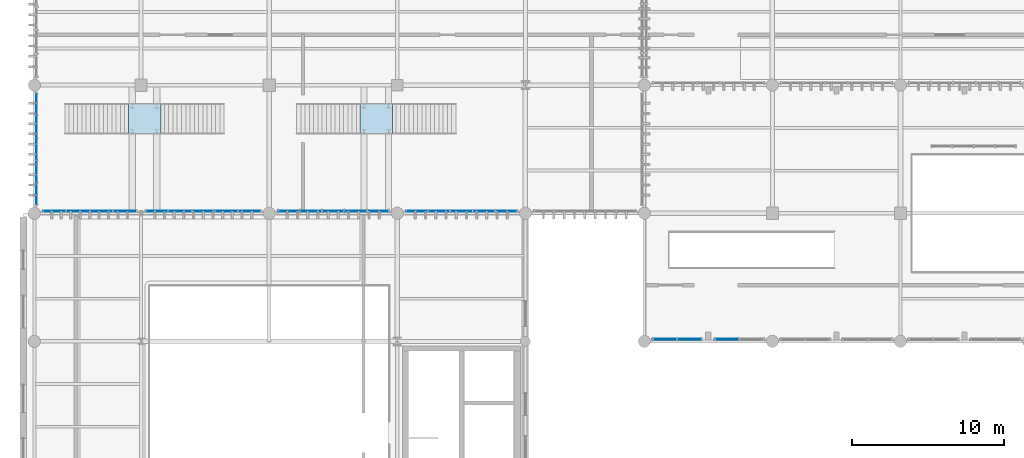
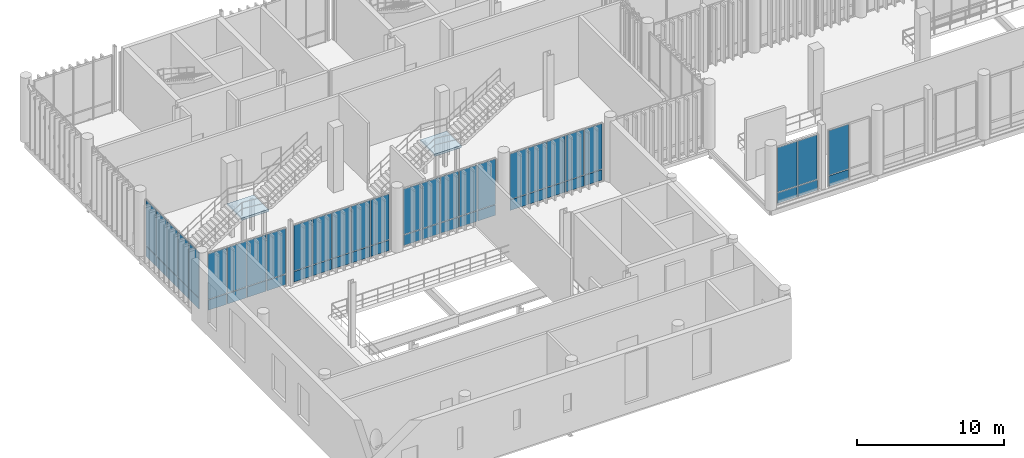
# One storey, part 93 of 128: 54 plates, 2 slabs, 9 elements without a shape of their own.
"""IFC4 building model written with IfcOpenShell, lengths in metres."""

from ifc_helpers import new_model, si_unit, direction, frame, frame_2d, origin_with_axes, place, context, subcontext, project, spatial, polyline, rectangle, outline, extrude, material, layer, layer_set, type_object, element, aggregate, save


model = new_model("IFC4")

# Units and contexts
model_context = context("Model", 3, precision=1e-05, world=origin_with_axes(), true_north=direction((0.0, 1.0)))
body_context = subcontext(model_context, "Body", "Model", "MODEL_VIEW")
ifc_project = project(units=[si_unit("LENGTHUNIT", "METRE"), si_unit("AREAUNIT", "SQUARE_METRE"), si_unit("VOLUMEUNIT", "CUBIC_METRE"), si_unit("PLANEANGLEUNIT", "RADIAN"), si_unit("MASSUNIT", "GRAM", prefix="KILO"), si_unit("THERMODYNAMICTEMPERATUREUNIT", "KELVIN")], contexts=[model_context])

# Site, building, storey
site_placement = place(None, origin_with_axes())
site = spatial("IfcSite", under=ifc_project, at=site_placement, CompositionType="ELEMENT")
building_placement = place(site_placement, origin_with_axes())
building = spatial("IfcBuilding", under=site, at=building_placement, Name="Montbau Bow Law Courts", CompositionType="ELEMENT")
storey_placement = place(building_placement, frame((0.0, 0.0, 5.4), z_axis=(0.0, 0.0, 1.0), x_axis=(1.0, 0.0, 0.0)))
storey = spatial("IfcBuildingStorey", under=building, at=storey_placement, Name="L01", CompositionType="ELEMENT", Elevation=5.4)

# Curtain wall, plates
ifc_material_1 = material(Name="Thermally Broken Extruded Aluminium AA 6063-T6", Category="aluminium")
curtain_wall_type_1 = type_object("IfcCurtainWallType", Name="CW-TRC-01", PredefinedType="NOTDEFINED", material=ifc_material_1)
curtain_wall_1_placement = place(None, frame((7.315, 30.74, 5.4), z_axis=(0.0, 0.0, 1.0), x_axis=(1.0, 0.0, 0.0)))
curtain_wall_1 = element("IfcCurtainWall", 1, at=curtain_wall_1_placement, inside=storey, type_object=curtain_wall_type_1, Name="CW-L01-016:cw_0016", PredefinedType="NOTDEFINED")
ifc_material_2 = material(Name="Triple-Glazed Low-E Argon Insulating Glass Unit", Category="glass")
ifc_layer_1 = layer(ifc_material_2, 0.044, Name="Curtain Panel", Category="glass")
ifc_layer_set_1 = layer_set([ifc_layer_1], Name="Triple-Glazed Low-E Argon Insulating Glass Unit")
plate_type_1 = type_object("IfcPlateType", Name="PL-CWP-01", PredefinedType="CURTAIN_PANEL", material=ifc_layer_set_1)
plate_1_placement = place(None, frame((7.383, 30.74, 6.382), z_axis=(0.0, -1.0, 0.0), x_axis=(1.0, 0.0, 0.0)))
plate_1 = element("IfcPlate", 2, at=plate_1_placement, type_object=plate_type_1, Name="CW-L01-016-P01-2:cw_0016_P01_2", PredefinedType="CURTAIN_PANEL", context=body_context, shape_type="SweptSolid", body=[
    extrude(rectangle(XDim=1.452, YDim=3.776, at=frame_2d((0.726, 1.888), x_axis=(1.0, 0.0))), frame((0.0, 0.0, -0.022), z_axis=(0.0, 0.0, 1.0), x_axis=(1.0, 0.0, 0.0)), (0.0, 0.0, 1.0), 0.044),
])
plate_2_placement = place(None, frame((8.904, 30.74, 6.382), z_axis=(0.0, -1.0, 0.0), x_axis=(1.0, 0.0, 0.0)))
plate_2 = element("IfcPlate", 3, at=plate_2_placement, type_object=plate_type_1, Name="CW-L01-016-P02-2:cw_0016_P02_2", PredefinedType="CURTAIN_PANEL", context=body_context, shape_type="SweptSolid", body=[
    extrude(rectangle(XDim=1.486, YDim=3.776, at=frame_2d((0.743, 1.888), x_axis=(1.0, 0.0))), frame((0.0, 0.0, -0.022), z_axis=(0.0, 0.0, 1.0), x_axis=(1.0, 0.0, 0.0)), (0.0, 0.0, 1.0), 0.044),
])
plate_3_placement = place(None, frame((10.458, 30.74, 6.382), z_axis=(0.0, -1.0, 0.0), x_axis=(1.0, 0.0, 0.0)))
plate_3 = element("IfcPlate", 4, at=plate_3_placement, type_object=plate_type_1, Name="CW-L01-016-P03-2:cw_0016_P03_2", PredefinedType="CURTAIN_PANEL", context=body_context, shape_type="SweptSolid", body=[
    extrude(rectangle(XDim=1.486, YDim=3.776, at=frame_2d((0.743, 1.888), x_axis=(1.0, 0.0))), frame((0.0, 0.0, -0.022), z_axis=(0.0, 0.0, 1.0), x_axis=(1.0, 0.0, 0.0)), (0.0, 0.0, 1.0), 0.044),
])
plate_4_placement = place(None, frame((12.012, 30.74, 6.382), z_axis=(0.0, -1.0, 0.0), x_axis=(1.0, 0.0, 0.0)))
plate_4 = element("IfcPlate", 5, at=plate_4_placement, type_object=plate_type_1, Name="CW-L01-016-P04-2:cw_0016_P04_2", PredefinedType="CURTAIN_PANEL", context=body_context, shape_type="SweptSolid", body=[
    extrude(rectangle(XDim=1.454, YDim=3.776, at=frame_2d((0.727, 1.888), x_axis=(1.0, 0.0))), frame((0.0, 0.0, -0.022), z_axis=(0.0, 0.0, 1.0), x_axis=(1.0, 0.0, 0.0)), (0.0, 0.0, 1.0), 0.044),
])

curtain_wall_2_placement = place(None, frame((14.068, 30.74, 5.4), z_axis=(0.0, 0.0, 1.0), x_axis=(1.0, 0.0, 0.0)))
curtain_wall_2 = element("IfcCurtainWall", 6, at=curtain_wall_2_placement, inside=storey, type_object=curtain_wall_type_1, Name="CW-L01-017:cw_0017", PredefinedType="NOTDEFINED")
plate_5_placement = place(None, frame((14.13, 30.74, 6.379), z_axis=(0.0, -1.0, 0.0), x_axis=(1.0, 0.0, 0.0)))
plate_5 = element("IfcPlate", 7, at=plate_5_placement, type_object=plate_type_1, Name="CW-L01-017-P01-2:cw_0017_P01_2", PredefinedType="CURTAIN_PANEL", context=body_context, shape_type="SweptSolid", body=[
    extrude(rectangle(XDim=1.429, YDim=3.784, at=frame_2d((0.7145, 1.892), x_axis=(1.0, 0.0))), frame((0.0, 0.0, -0.022), z_axis=(0.0, 0.0, 1.0), x_axis=(1.0, 0.0, 0.0)), (0.0, 0.0, 1.0), 0.044),
])
plate_6_placement = place(None, frame((15.623, 30.74, 6.379), z_axis=(0.0, -1.0, 0.0), x_axis=(1.0, 0.0, 0.0)))
plate_6 = element("IfcPlate", 8, at=plate_6_placement, type_object=plate_type_1, Name="CW-L01-017-P02-2:cw_0017_P02_2", PredefinedType="CURTAIN_PANEL", context=body_context, shape_type="SweptSolid", body=[
    extrude(rectangle(XDim=1.46, YDim=3.784, at=frame_2d((0.73, 1.892), x_axis=(1.0, 0.0))), frame((0.0, 0.0, -0.022), z_axis=(0.0, 0.0, 1.0), x_axis=(1.0, 0.0, 0.0)), (0.0, 0.0, 1.0), 0.044),
])
plate_7_placement = place(None, frame((17.147, 30.74, 6.379), z_axis=(0.0, -1.0, 0.0), x_axis=(1.0, 0.0, 0.0)))
plate_7 = element("IfcPlate", 9, at=plate_7_placement, type_object=plate_type_1, Name="CW-L01-017-P03-2:cw_0017_P03_2", PredefinedType="CURTAIN_PANEL", context=body_context, shape_type="SweptSolid", body=[
    extrude(rectangle(XDim=1.459, YDim=3.784, at=frame_2d((0.7295, 1.892), x_axis=(1.0, 0.0))), frame((0.0, 0.0, -0.022), z_axis=(0.0, 0.0, 1.0), x_axis=(1.0, 0.0, 0.0)), (0.0, 0.0, 1.0), 0.044),
])
plate_8_placement = place(None, frame((18.67, 30.74, 6.379), z_axis=(0.0, -1.0, 0.0), x_axis=(1.0, 0.0, 0.0)))
plate_8 = element("IfcPlate", 10, at=plate_8_placement, type_object=plate_type_1, Name="CW-L01-017-P04-2:cw_0017_P04_2", PredefinedType="CURTAIN_PANEL", context=body_context, shape_type="SweptSolid", body=[
    extrude(rectangle(XDim=1.46, YDim=3.784, at=frame_2d((0.73, 1.892), x_axis=(1.0, 0.0))), frame((0.0, 0.0, -0.022), z_axis=(0.0, 0.0, 1.0), x_axis=(1.0, 0.0, 0.0)), (0.0, 0.0, 1.0), 0.044),
])
plate_9_placement = place(None, frame((20.194, 30.74, 6.379), z_axis=(0.0, -1.0, 0.0), x_axis=(1.0, 0.0, 0.0)))
plate_9 = element("IfcPlate", 11, at=plate_9_placement, type_object=plate_type_1, Name="CW-L01-017-P05-2:cw_0017_P05_2", PredefinedType="CURTAIN_PANEL", context=body_context, shape_type="SweptSolid", body=[
    extrude(rectangle(XDim=1.429, YDim=3.784, at=frame_2d((0.7145, 1.892), x_axis=(1.0, 0.0))), frame((0.0, 0.0, -0.022), z_axis=(0.0, 0.0, 1.0), x_axis=(1.0, 0.0, 0.0)), (0.0, 0.0, 1.0), 0.044),
])

curtain_wall_3_placement = place(None, frame((22.715, 30.74, 5.4), z_axis=(0.0, 0.0, 1.0), x_axis=(1.0, 0.0, 0.0)))
curtain_wall_3 = element("IfcCurtainWall", 12, at=curtain_wall_3_placement, inside=storey, type_object=curtain_wall_type_1, Name="CW-L01-018:cw_0018", PredefinedType="NOTDEFINED")
plate_10_placement = place(None, frame((22.791, 30.74, 6.382), z_axis=(0.0, -1.0, 0.0), x_axis=(1.0, 0.0, 0.0)))
plate_10 = element("IfcPlate", 13, at=plate_10_placement, type_object=plate_type_1, Name="CW-L01-018-P01-2:cw_0018_P01_2", PredefinedType="CURTAIN_PANEL", context=body_context, shape_type="SweptSolid", body=[
    extrude(rectangle(XDim=1.358, YDim=3.776, at=frame_2d((0.679, 1.888), x_axis=(1.0, 0.0))), frame((0.0, 0.0, -0.022), z_axis=(0.0, 0.0, 1.0), x_axis=(1.0, 0.0, 0.0)), (0.0, 0.0, 1.0), 0.044),
])
plate_11_placement = place(None, frame((24.229, 30.74, 6.382), z_axis=(0.0, -1.0, 0.0), x_axis=(1.0, 0.0, 0.0)))
plate_11 = element("IfcPlate", 14, at=plate_11_placement, type_object=plate_type_1, Name="CW-L01-018-P02-2:cw_0018_P02_2", PredefinedType="CURTAIN_PANEL", context=body_context, shape_type="SweptSolid", body=[
    extrude(rectangle(XDim=1.395, YDim=3.776, at=frame_2d((0.6975, 1.888), x_axis=(1.0, 0.0))), frame((0.0, 0.0, -0.022), z_axis=(0.0, 0.0, 1.0), x_axis=(1.0, 0.0, 0.0)), (0.0, 0.0, 1.0), 0.044),
])
plate_12_placement = place(None, frame((25.702, 30.74, 6.382), z_axis=(0.0, -1.0, 0.0), x_axis=(1.0, 0.0, 0.0)))
plate_12 = element("IfcPlate", 15, at=plate_12_placement, type_object=plate_type_1, Name="CW-L01-018-P03-2:cw_0018_P03_2", PredefinedType="CURTAIN_PANEL", context=body_context, shape_type="SweptSolid", body=[
    extrude(rectangle(XDim=1.396, YDim=3.776, at=frame_2d((0.698, 1.888), x_axis=(1.0, 0.0))), frame((0.0, 0.0, -0.022), z_axis=(0.0, 0.0, 1.0), x_axis=(1.0, 0.0, 0.0)), (0.0, 0.0, 1.0), 0.044),
])
plate_13_placement = place(None, frame((27.176, 30.74, 6.382), z_axis=(0.0, -1.0, 0.0), x_axis=(1.0, 0.0, 0.0)))
plate_13 = element("IfcPlate", 16, at=plate_13_placement, type_object=plate_type_1, Name="CW-L01-018-P04-2:cw_0018_P04_2", PredefinedType="CURTAIN_PANEL", context=body_context, shape_type="SweptSolid", body=[
    extrude(rectangle(XDim=1.396, YDim=3.776, at=frame_2d((0.698, 1.888), x_axis=(1.0, 0.0))), frame((0.0, 0.0, -0.022), z_axis=(0.0, 0.0, 1.0), x_axis=(1.0, 0.0, 0.0)), (0.0, 0.0, 1.0), 0.044),
])
plate_14_placement = place(None, frame((28.65, 30.74, 6.382), z_axis=(0.0, -1.0, 0.0), x_axis=(1.0, 0.0, 0.0)))
plate_14 = element("IfcPlate", 17, at=plate_14_placement, type_object=plate_type_1, Name="CW-L01-018-P05-2:cw_0018_P05_2", PredefinedType="CURTAIN_PANEL", context=body_context, shape_type="SweptSolid", body=[
    extrude(rectangle(XDim=1.359, YDim=3.776, at=frame_2d((0.6795, 1.888), x_axis=(1.0, 0.0))), frame((0.0, 0.0, -0.022), z_axis=(0.0, 0.0, 1.0), x_axis=(1.0, 0.0, 0.0)), (0.0, 0.0, 1.0), 0.044),
])

curtain_wall_4_placement = place(None, frame((31.115, 30.74, 5.4), z_axis=(0.0, 0.0, 1.0), x_axis=(1.0, 0.0, 0.0)))
curtain_wall_4 = element("IfcCurtainWall", 18, at=curtain_wall_4_placement, inside=storey, type_object=curtain_wall_type_1, Name="CW-L01-019:cw_0019", PredefinedType="NOTDEFINED")
plate_15_placement = place(None, frame((31.183, 30.74, 6.379), z_axis=(0.0, -1.0, 0.0), x_axis=(1.0, 0.0, 0.0)))
plate_15 = element("IfcPlate", 19, at=plate_15_placement, type_object=plate_type_1, Name="CW-L01-019-P01-2:cw_0019_P01_2", PredefinedType="CURTAIN_PANEL", context=body_context, shape_type="SweptSolid", body=[
    extrude(rectangle(XDim=1.372, YDim=3.784, at=frame_2d((0.686, 1.892), x_axis=(1.0, 0.0))), frame((0.0, 0.0, -0.022), z_axis=(0.0, 0.0, 1.0), x_axis=(1.0, 0.0, 0.0)), (0.0, 0.0, 1.0), 0.044),
])
plate_16_placement = place(None, frame((32.623, 30.74, 6.379), z_axis=(0.0, -1.0, 0.0), x_axis=(1.0, 0.0, 0.0)))
plate_16 = element("IfcPlate", 20, at=plate_16_placement, type_object=plate_type_1, Name="CW-L01-019-P02-2:cw_0019_P02_2", PredefinedType="CURTAIN_PANEL", context=body_context, shape_type="SweptSolid", body=[
    extrude(rectangle(XDim=1.405, YDim=3.784, at=frame_2d((0.7025, 1.892), x_axis=(1.0, 0.0))), frame((0.0, 0.0, -0.022), z_axis=(0.0, 0.0, 1.0), x_axis=(1.0, 0.0, 0.0)), (0.0, 0.0, 1.0), 0.044),
])
plate_17_placement = place(None, frame((34.097, 30.74, 6.379), z_axis=(0.0, -1.0, 0.0), x_axis=(1.0, 0.0, 0.0)))
plate_17 = element("IfcPlate", 21, at=plate_17_placement, type_object=plate_type_1, Name="CW-L01-019-P03-2:cw_0019_P03_2", PredefinedType="CURTAIN_PANEL", context=body_context, shape_type="SweptSolid", body=[
    extrude(rectangle(XDim=1.406, YDim=3.784, at=frame_2d((0.703, 1.892), x_axis=(1.0, 0.0))), frame((0.0, 0.0, -0.022), z_axis=(0.0, 0.0, 1.0), x_axis=(1.0, 0.0, 0.0)), (0.0, 0.0, 1.0), 0.044),
])
plate_18_placement = place(None, frame((35.571, 30.74, 6.379), z_axis=(0.0, -1.0, 0.0), x_axis=(1.0, 0.0, 0.0)))
plate_18 = element("IfcPlate", 22, at=plate_18_placement, type_object=plate_type_1, Name="CW-L01-019-P04-2:cw_0019_P04_2", PredefinedType="CURTAIN_PANEL", context=body_context, shape_type="SweptSolid", body=[
    extrude(rectangle(XDim=1.406, YDim=3.784, at=frame_2d((0.703, 1.892), x_axis=(1.0, 0.0))), frame((0.0, 0.0, -0.022), z_axis=(0.0, 0.0, 1.0), x_axis=(1.0, 0.0, 0.0)), (0.0, 0.0, 1.0), 0.044),
])
plate_19_placement = place(None, frame((37.045, 30.74, 6.379), z_axis=(0.0, -1.0, 0.0), x_axis=(1.0, 0.0, 0.0)))
plate_19 = element("IfcPlate", 23, at=plate_19_placement, type_object=plate_type_1, Name="CW-L01-019-P05-2:cw_0019_P05_2", PredefinedType="CURTAIN_PANEL", context=body_context, shape_type="SweptSolid", body=[
    extrude(rectangle(XDim=1.374, YDim=3.784, at=frame_2d((0.687, 1.892), x_axis=(1.0, 0.0))), frame((0.0, 0.0, -0.022), z_axis=(0.0, 0.0, 1.0), x_axis=(1.0, 0.0, 0.0)), (0.0, 0.0, 1.0), 0.044),
])

curtain_wall_5_placement = place(None, frame((6.94, 31.115, 5.4), z_axis=(0.0, 0.0, 1.0), x_axis=(1.0, 0.0, 0.0)))
curtain_wall_5 = element("IfcCurtainWall", 24, at=curtain_wall_5_placement, inside=storey, type_object=curtain_wall_type_1, Name="CW-L01-026:cw_0026", PredefinedType="NOTDEFINED")
plate_20_placement = place(None, frame((6.94, 31.177, 6.382), z_axis=(1.0, 0.0, 0.0), x_axis=(0.0, 1.0, 0.0)))
plate_20 = element("IfcPlate", 25, at=plate_20_placement, type_object=plate_type_1, Name="CW-L01-026-P01-2:cw_0026_P01_2", PredefinedType="CURTAIN_PANEL", context=body_context, shape_type="SweptSolid", body=[
    extrude(rectangle(XDim=1.38, YDim=3.776, at=frame_2d((0.69, 1.888), x_axis=(1.0, 0.0))), frame((0.0, 0.0, -0.022), z_axis=(0.0, 0.0, 1.0), x_axis=(1.0, 0.0, 0.0)), (0.0, 0.0, 1.0), 0.044),
])
plate_21_placement = place(None, frame((6.94, 32.621, 6.382), z_axis=(1.0, 0.0, 0.0), x_axis=(0.0, 1.0, 0.0)))
plate_21 = element("IfcPlate", 26, at=plate_21_placement, type_object=plate_type_1, Name="CW-L01-026-P02-2:cw_0026_P02_2", PredefinedType="CURTAIN_PANEL", context=body_context, shape_type="SweptSolid", body=[
    extrude(rectangle(XDim=1.41, YDim=3.776, at=frame_2d((0.705, 1.888), x_axis=(1.0, 0.0))), frame((0.0, 0.0, -0.022), z_axis=(0.0, 0.0, 1.0), x_axis=(1.0, 0.0, 0.0)), (0.0, 0.0, 1.0), 0.044),
])
plate_22_placement = place(None, frame((6.94, 34.095, 6.382), z_axis=(1.0, 0.0, 0.0), x_axis=(0.0, 1.0, 0.0)))
plate_22 = element("IfcPlate", 27, at=plate_22_placement, type_object=plate_type_1, Name="CW-L01-026-P03-2:cw_0026_P03_2", PredefinedType="CURTAIN_PANEL", context=body_context, shape_type="SweptSolid", body=[
    extrude(rectangle(XDim=1.41, YDim=3.776, at=frame_2d((0.705, 1.888), x_axis=(1.0, 0.0))), frame((0.0, 0.0, -0.022), z_axis=(0.0, 0.0, 1.0), x_axis=(1.0, 0.0, 0.0)), (0.0, 0.0, 1.0), 0.044),
])
plate_23_placement = place(None, frame((6.94, 35.569, 6.382), z_axis=(1.0, 0.0, 0.0), x_axis=(0.0, 1.0, 0.0)))
plate_23 = element("IfcPlate", 28, at=plate_23_placement, type_object=plate_type_1, Name="CW-L01-026-P04-2:cw_0026_P04_2", PredefinedType="CURTAIN_PANEL", context=body_context, shape_type="SweptSolid", body=[
    extrude(rectangle(XDim=1.41, YDim=3.776, at=frame_2d((0.705, 1.888), x_axis=(1.0, 0.0))), frame((0.0, 0.0, -0.022), z_axis=(0.0, 0.0, 1.0), x_axis=(1.0, 0.0, 0.0)), (0.0, 0.0, 1.0), 0.044),
])
plate_24_placement = place(None, frame((6.94, 37.043, 6.382), z_axis=(1.0, 0.0, 0.0), x_axis=(0.0, 1.0, 0.0)))
plate_24 = element("IfcPlate", 29, at=plate_24_placement, type_object=plate_type_1, Name="CW-L01-026-P05-2:cw_0026_P05_2", PredefinedType="CURTAIN_PANEL", context=body_context, shape_type="SweptSolid", body=[
    extrude(rectangle(XDim=1.38, YDim=3.776, at=frame_2d((0.69, 1.888), x_axis=(1.0, 0.0))), frame((0.0, 0.0, -0.022), z_axis=(0.0, 0.0, 1.0), x_axis=(1.0, 0.0, 0.0)), (0.0, 0.0, 1.0), 0.044),
])

# Plate
ifc_material_3 = material(Name="Insulated Ceramic-Frit Spandrel Glazing Unit", Category="glass")
ifc_layer_2 = layer(ifc_material_3, 0.056, Name="Curtain Panel", Category="glass")
ifc_layer_set_2 = layer_set([ifc_layer_2], Name="Insulated Ceramic-Frit Spandrel Glazing Unit")
plate_type_2 = type_object("IfcPlateType", Name="PL-CWP-02", PredefinedType="CURTAIN_PANEL", material=ifc_layer_set_2)
plate_25_placement = place(None, frame((7.383, 30.74, 5.462), z_axis=(0.0, -1.0, 0.0), x_axis=(1.0, 0.0, 0.0)))
plate_25 = element("IfcPlate", 30, at=plate_25_placement, type_object=plate_type_2, Name="CW-L01-016-P01-1:cw_0016_P01_1", PredefinedType="CURTAIN_PANEL", context=body_context, shape_type="SweptSolid", body=[
    extrude(rectangle(XDim=1.452, YDim=0.856, at=frame_2d((0.726, 0.428), x_axis=(1.0, 0.0))), frame((0.0, 0.0, -0.028), z_axis=(0.0, 0.0, 1.0), x_axis=(1.0, 0.0, 0.0)), (0.0, 0.0, 1.0), 0.056),
])

plate_26_placement = place(None, frame((8.904, 30.74, 5.462), z_axis=(0.0, -1.0, 0.0), x_axis=(1.0, 0.0, 0.0)))
plate_26 = element("IfcPlate", 31, at=plate_26_placement, type_object=plate_type_2, Name="CW-L01-016-P02-1:cw_0016_P02_1", PredefinedType="CURTAIN_PANEL", context=body_context, shape_type="SweptSolid", body=[
    extrude(rectangle(XDim=1.486, YDim=0.856, at=frame_2d((0.743, 0.428), x_axis=(1.0, 0.0))), frame((0.0, 0.0, -0.028), z_axis=(0.0, 0.0, 1.0), x_axis=(1.0, 0.0, 0.0)), (0.0, 0.0, 1.0), 0.056),
])

plate_27_placement = place(None, frame((10.458, 30.74, 5.462), z_axis=(0.0, -1.0, 0.0), x_axis=(1.0, 0.0, 0.0)))
plate_27 = element("IfcPlate", 32, at=plate_27_placement, type_object=plate_type_2, Name="CW-L01-016-P03-1:cw_0016_P03_1", PredefinedType="CURTAIN_PANEL", context=body_context, shape_type="SweptSolid", body=[
    extrude(rectangle(XDim=1.486, YDim=0.856, at=frame_2d((0.743, 0.428), x_axis=(1.0, 0.0))), frame((0.0, 0.0, -0.028), z_axis=(0.0, 0.0, 1.0), x_axis=(1.0, 0.0, 0.0)), (0.0, 0.0, 1.0), 0.056),
])

plate_28_placement = place(None, frame((12.012, 30.74, 5.462), z_axis=(0.0, -1.0, 0.0), x_axis=(1.0, 0.0, 0.0)))
plate_28 = element("IfcPlate", 33, at=plate_28_placement, type_object=plate_type_2, Name="CW-L01-016-P04-1:cw_0016_P04_1", PredefinedType="CURTAIN_PANEL", context=body_context, shape_type="SweptSolid", body=[
    extrude(rectangle(XDim=1.454, YDim=0.856, at=frame_2d((0.727, 0.428), x_axis=(1.0, 0.0))), frame((0.0, 0.0, -0.028), z_axis=(0.0, 0.0, 1.0), x_axis=(1.0, 0.0, 0.0)), (0.0, 0.0, 1.0), 0.056),
])

aggregate(curtain_wall_1, [plate_25, plate_1, plate_26, plate_2, plate_27, plate_3, plate_28, plate_4])

plate_29_placement = place(None, frame((14.13, 30.74, 5.457), z_axis=(0.0, -1.0, 0.0), x_axis=(1.0, 0.0, 0.0)))
plate_29 = element("IfcPlate", 34, at=plate_29_placement, type_object=plate_type_2, Name="CW-L01-017-P01-1:cw_0017_P01_1", PredefinedType="CURTAIN_PANEL", context=body_context, shape_type="SweptSolid", body=[
    extrude(rectangle(XDim=1.429, YDim=0.864, at=frame_2d((0.7145, 0.432), x_axis=(1.0, 0.0))), frame((0.0, 0.0, -0.028), z_axis=(0.0, 0.0, 1.0), x_axis=(1.0, 0.0, 0.0)), (0.0, 0.0, 1.0), 0.056),
])

plate_30_placement = place(None, frame((15.623, 30.74, 5.457), z_axis=(0.0, -1.0, 0.0), x_axis=(1.0, 0.0, 0.0)))
plate_30 = element("IfcPlate", 35, at=plate_30_placement, type_object=plate_type_2, Name="CW-L01-017-P02-1:cw_0017_P02_1", PredefinedType="CURTAIN_PANEL", context=body_context, shape_type="SweptSolid", body=[
    extrude(rectangle(XDim=1.46, YDim=0.864, at=frame_2d((0.73, 0.432), x_axis=(1.0, 0.0))), frame((0.0, 0.0, -0.028), z_axis=(0.0, 0.0, 1.0), x_axis=(1.0, 0.0, 0.0)), (0.0, 0.0, 1.0), 0.056),
])

plate_31_placement = place(None, frame((17.147, 30.74, 5.457), z_axis=(0.0, -1.0, 0.0), x_axis=(1.0, 0.0, 0.0)))
plate_31 = element("IfcPlate", 36, at=plate_31_placement, type_object=plate_type_2, Name="CW-L01-017-P03-1:cw_0017_P03_1", PredefinedType="CURTAIN_PANEL", context=body_context, shape_type="SweptSolid", body=[
    extrude(rectangle(XDim=1.459, YDim=0.864, at=frame_2d((0.7295, 0.432), x_axis=(1.0, 0.0))), frame((0.0, 0.0, -0.028), z_axis=(0.0, 0.0, 1.0), x_axis=(1.0, 0.0, 0.0)), (0.0, 0.0, 1.0), 0.056),
])

plate_32_placement = place(None, frame((18.67, 30.74, 5.457), z_axis=(0.0, -1.0, 0.0), x_axis=(1.0, 0.0, 0.0)))
plate_32 = element("IfcPlate", 37, at=plate_32_placement, type_object=plate_type_2, Name="CW-L01-017-P04-1:cw_0017_P04_1", PredefinedType="CURTAIN_PANEL", context=body_context, shape_type="SweptSolid", body=[
    extrude(rectangle(XDim=1.46, YDim=0.864, at=frame_2d((0.73, 0.432), x_axis=(1.0, 0.0))), frame((0.0, 0.0, -0.028), z_axis=(0.0, 0.0, 1.0), x_axis=(1.0, 0.0, 0.0)), (0.0, 0.0, 1.0), 0.056),
])

plate_33_placement = place(None, frame((20.194, 30.74, 5.457), z_axis=(0.0, -1.0, 0.0), x_axis=(1.0, 0.0, 0.0)))
plate_33 = element("IfcPlate", 38, at=plate_33_placement, type_object=plate_type_2, Name="CW-L01-017-P05-1:cw_0017_P05_1", PredefinedType="CURTAIN_PANEL", context=body_context, shape_type="SweptSolid", body=[
    extrude(rectangle(XDim=1.429, YDim=0.864, at=frame_2d((0.7145, 0.432), x_axis=(1.0, 0.0))), frame((0.0, 0.0, -0.028), z_axis=(0.0, 0.0, 1.0), x_axis=(1.0, 0.0, 0.0)), (0.0, 0.0, 1.0), 0.056),
])

aggregate(curtain_wall_2, [plate_29, plate_5, plate_30, plate_6, plate_31, plate_7, plate_32, plate_8, plate_33, plate_9])

plate_34_placement = place(None, frame((22.791, 30.74, 5.462), z_axis=(0.0, -1.0, 0.0), x_axis=(1.0, 0.0, 0.0)))
plate_34 = element("IfcPlate", 39, at=plate_34_placement, type_object=plate_type_2, Name="CW-L01-018-P01-1:cw_0018_P01_1", PredefinedType="CURTAIN_PANEL", context=body_context, shape_type="SweptSolid", body=[
    extrude(rectangle(XDim=1.358, YDim=0.856, at=frame_2d((0.679, 0.428), x_axis=(1.0, 0.0))), frame((0.0, 0.0, -0.028), z_axis=(0.0, 0.0, 1.0), x_axis=(1.0, 0.0, 0.0)), (0.0, 0.0, 1.0), 0.056),
])

plate_35_placement = place(None, frame((24.229, 30.74, 5.462), z_axis=(0.0, -1.0, 0.0), x_axis=(1.0, 0.0, 0.0)))
plate_35 = element("IfcPlate", 40, at=plate_35_placement, type_object=plate_type_2, Name="CW-L01-018-P02-1:cw_0018_P02_1", PredefinedType="CURTAIN_PANEL", context=body_context, shape_type="SweptSolid", body=[
    extrude(rectangle(XDim=1.395, YDim=0.856, at=frame_2d((0.6975, 0.428), x_axis=(1.0, 0.0))), frame((0.0, 0.0, -0.028), z_axis=(0.0, 0.0, 1.0), x_axis=(1.0, 0.0, 0.0)), (0.0, 0.0, 1.0), 0.056),
])

plate_36_placement = place(None, frame((25.702, 30.74, 5.462), z_axis=(0.0, -1.0, 0.0), x_axis=(1.0, 0.0, 0.0)))
plate_36 = element("IfcPlate", 41, at=plate_36_placement, type_object=plate_type_2, Name="CW-L01-018-P03-1:cw_0018_P03_1", PredefinedType="CURTAIN_PANEL", context=body_context, shape_type="SweptSolid", body=[
    extrude(rectangle(XDim=1.396, YDim=0.856, at=frame_2d((0.698, 0.428), x_axis=(1.0, 0.0))), frame((0.0, 0.0, -0.028), z_axis=(0.0, 0.0, 1.0), x_axis=(1.0, 0.0, 0.0)), (0.0, 0.0, 1.0), 0.056),
])

plate_37_placement = place(None, frame((27.176, 30.74, 5.462), z_axis=(0.0, -1.0, 0.0), x_axis=(1.0, 0.0, 0.0)))
plate_37 = element("IfcPlate", 42, at=plate_37_placement, type_object=plate_type_2, Name="CW-L01-018-P04-1:cw_0018_P04_1", PredefinedType="CURTAIN_PANEL", context=body_context, shape_type="SweptSolid", body=[
    extrude(rectangle(XDim=1.396, YDim=0.856, at=frame_2d((0.698, 0.428), x_axis=(1.0, 0.0))), frame((0.0, 0.0, -0.028), z_axis=(0.0, 0.0, 1.0), x_axis=(1.0, 0.0, 0.0)), (0.0, 0.0, 1.0), 0.056),
])

plate_38_placement = place(None, frame((28.65, 30.74, 5.462), z_axis=(0.0, -1.0, 0.0), x_axis=(1.0, 0.0, 0.0)))
plate_38 = element("IfcPlate", 43, at=plate_38_placement, type_object=plate_type_2, Name="CW-L01-018-P05-1:cw_0018_P05_1", PredefinedType="CURTAIN_PANEL", context=body_context, shape_type="SweptSolid", body=[
    extrude(rectangle(XDim=1.359, YDim=0.856, at=frame_2d((0.6795, 0.428), x_axis=(1.0, 0.0))), frame((0.0, 0.0, -0.028), z_axis=(0.0, 0.0, 1.0), x_axis=(1.0, 0.0, 0.0)), (0.0, 0.0, 1.0), 0.056),
])

aggregate(curtain_wall_3, [plate_34, plate_10, plate_35, plate_11, plate_36, plate_12, plate_37, plate_13, plate_38, plate_14])

plate_39_placement = place(None, frame((31.183, 30.74, 5.457), z_axis=(0.0, -1.0, 0.0), x_axis=(1.0, 0.0, 0.0)))
plate_39 = element("IfcPlate", 44, at=plate_39_placement, type_object=plate_type_2, Name="CW-L01-019-P01-1:cw_0019_P01_1", PredefinedType="CURTAIN_PANEL", context=body_context, shape_type="SweptSolid", body=[
    extrude(rectangle(XDim=1.372, YDim=0.864, at=frame_2d((0.686, 0.432), x_axis=(1.0, 0.0))), frame((0.0, 0.0, -0.028), z_axis=(0.0, 0.0, 1.0), x_axis=(1.0, 0.0, 0.0)), (0.0, 0.0, 1.0), 0.056),
])

plate_40_placement = place(None, frame((32.623, 30.74, 5.457), z_axis=(0.0, -1.0, 0.0), x_axis=(1.0, 0.0, 0.0)))
plate_40 = element("IfcPlate", 45, at=plate_40_placement, type_object=plate_type_2, Name="CW-L01-019-P02-1:cw_0019_P02_1", PredefinedType="CURTAIN_PANEL", context=body_context, shape_type="SweptSolid", body=[
    extrude(rectangle(XDim=1.405, YDim=0.864, at=frame_2d((0.7025, 0.432), x_axis=(1.0, 0.0))), frame((0.0, 0.0, -0.028), z_axis=(0.0, 0.0, 1.0), x_axis=(1.0, 0.0, 0.0)), (0.0, 0.0, 1.0), 0.056),
])

plate_41_placement = place(None, frame((34.097, 30.74, 5.457), z_axis=(0.0, -1.0, 0.0), x_axis=(1.0, 0.0, 0.0)))
plate_41 = element("IfcPlate", 46, at=plate_41_placement, type_object=plate_type_2, Name="CW-L01-019-P03-1:cw_0019_P03_1", PredefinedType="CURTAIN_PANEL", context=body_context, shape_type="SweptSolid", body=[
    extrude(rectangle(XDim=1.406, YDim=0.864, at=frame_2d((0.703, 0.432), x_axis=(1.0, 0.0))), frame((0.0, 0.0, -0.028), z_axis=(0.0, 0.0, 1.0), x_axis=(1.0, 0.0, 0.0)), (0.0, 0.0, 1.0), 0.056),
])

plate_42_placement = place(None, frame((35.571, 30.74, 5.457), z_axis=(0.0, -1.0, 0.0), x_axis=(1.0, 0.0, 0.0)))
plate_42 = element("IfcPlate", 47, at=plate_42_placement, type_object=plate_type_2, Name="CW-L01-019-P04-1:cw_0019_P04_1", PredefinedType="CURTAIN_PANEL", context=body_context, shape_type="SweptSolid", body=[
    extrude(rectangle(XDim=1.406, YDim=0.864, at=frame_2d((0.703, 0.432), x_axis=(1.0, 0.0))), frame((0.0, 0.0, -0.028), z_axis=(0.0, 0.0, 1.0), x_axis=(1.0, 0.0, 0.0)), (0.0, 0.0, 1.0), 0.056),
])

plate_43_placement = place(None, frame((37.045, 30.74, 5.457), z_axis=(0.0, -1.0, 0.0), x_axis=(1.0, 0.0, 0.0)))
plate_43 = element("IfcPlate", 48, at=plate_43_placement, type_object=plate_type_2, Name="CW-L01-019-P05-1:cw_0019_P05_1", PredefinedType="CURTAIN_PANEL", context=body_context, shape_type="SweptSolid", body=[
    extrude(rectangle(XDim=1.374, YDim=0.864, at=frame_2d((0.687, 0.432), x_axis=(1.0, 0.0))), frame((0.0, 0.0, -0.028), z_axis=(0.0, 0.0, 1.0), x_axis=(1.0, 0.0, 0.0)), (0.0, 0.0, 1.0), 0.056),
])

aggregate(curtain_wall_4, [plate_39, plate_15, plate_40, plate_16, plate_41, plate_17, plate_42, plate_18, plate_43, plate_19])

plate_44_placement = place(None, frame((6.94, 31.177, 5.462), z_axis=(1.0, 0.0, 0.0), x_axis=(0.0, 1.0, 0.0)))
plate_44 = element("IfcPlate", 49, at=plate_44_placement, type_object=plate_type_2, Name="CW-L01-026-P01-1:cw_0026_P01_1", PredefinedType="CURTAIN_PANEL", context=body_context, shape_type="SweptSolid", body=[
    extrude(rectangle(XDim=1.38, YDim=0.856, at=frame_2d((0.69, 0.428), x_axis=(1.0, 0.0))), frame((0.0, 0.0, -0.028), z_axis=(0.0, 0.0, 1.0), x_axis=(1.0, 0.0, 0.0)), (0.0, 0.0, 1.0), 0.056),
])

plate_45_placement = place(None, frame((6.94, 32.621, 5.462), z_axis=(1.0, 0.0, 0.0), x_axis=(0.0, 1.0, 0.0)))
plate_45 = element("IfcPlate", 50, at=plate_45_placement, type_object=plate_type_2, Name="CW-L01-026-P02-1:cw_0026_P02_1", PredefinedType="CURTAIN_PANEL", context=body_context, shape_type="SweptSolid", body=[
    extrude(rectangle(XDim=1.41, YDim=0.856, at=frame_2d((0.705, 0.428), x_axis=(1.0, 0.0))), frame((0.0, 0.0, -0.028), z_axis=(0.0, 0.0, 1.0), x_axis=(1.0, 0.0, 0.0)), (0.0, 0.0, 1.0), 0.056),
])

plate_46_placement = place(None, frame((6.94, 34.095, 5.462), z_axis=(1.0, 0.0, 0.0), x_axis=(0.0, 1.0, 0.0)))
plate_46 = element("IfcPlate", 51, at=plate_46_placement, type_object=plate_type_2, Name="CW-L01-026-P03-1:cw_0026_P03_1", PredefinedType="CURTAIN_PANEL", context=body_context, shape_type="SweptSolid", body=[
    extrude(rectangle(XDim=1.41, YDim=0.856, at=frame_2d((0.705, 0.428), x_axis=(1.0, 0.0))), frame((0.0, 0.0, -0.028), z_axis=(0.0, 0.0, 1.0), x_axis=(1.0, 0.0, 0.0)), (0.0, 0.0, 1.0), 0.056),
])

plate_47_placement = place(None, frame((6.94, 35.569, 5.462), z_axis=(1.0, 0.0, 0.0), x_axis=(0.0, 1.0, 0.0)))
plate_47 = element("IfcPlate", 52, at=plate_47_placement, type_object=plate_type_2, Name="CW-L01-026-P04-1:cw_0026_P04_1", PredefinedType="CURTAIN_PANEL", context=body_context, shape_type="SweptSolid", body=[
    extrude(rectangle(XDim=1.41, YDim=0.856, at=frame_2d((0.705, 0.428), x_axis=(1.0, 0.0))), frame((0.0, 0.0, -0.028), z_axis=(0.0, 0.0, 1.0), x_axis=(1.0, 0.0, 0.0)), (0.0, 0.0, 1.0), 0.056),
])

plate_48_placement = place(None, frame((6.94, 37.043, 5.462), z_axis=(1.0, 0.0, 0.0), x_axis=(0.0, 1.0, 0.0)))
plate_48 = element("IfcPlate", 53, at=plate_48_placement, type_object=plate_type_2, Name="CW-L01-026-P05-1:cw_0026_P05_1", PredefinedType="CURTAIN_PANEL", context=body_context, shape_type="SweptSolid", body=[
    extrude(rectangle(XDim=1.38, YDim=0.856, at=frame_2d((0.69, 0.428), x_axis=(1.0, 0.0))), frame((0.0, 0.0, -0.028), z_axis=(0.0, 0.0, 1.0), x_axis=(1.0, 0.0, 0.0)), (0.0, 0.0, 1.0), 0.056),
])

aggregate(curtain_wall_5, [plate_44, plate_20, plate_45, plate_21, plate_46, plate_22, plate_47, plate_23, plate_48, plate_24])

# Curtain wall, plates
curtain_wall_type_2 = type_object("IfcCurtainWallType", Name="CW-WGC-02", PredefinedType="NOTDEFINED", material=ifc_material_1)
curtain_wall_6_placement = place(None, frame((47.315, 22.34, 5.4), z_axis=(0.0, 0.0, 1.0), x_axis=(1.0, 0.0, 0.0)))
curtain_wall_6 = element("IfcCurtainWall", 54, at=curtain_wall_6_placement, inside=storey, type_object=curtain_wall_type_2, Name="CW-L01-396:cw_0396", PredefinedType="NOTDEFINED")
plate_49_placement = place(None, frame((47.391, 22.34, 5.462), z_axis=(0.0, -1.0, 0.0), x_axis=(1.0, 0.0, 0.0)))
plate_49 = element("IfcPlate", 55, at=plate_49_placement, type_object=plate_type_2, Name="CW-L01-396-P01-1:cw_0396_P01_1", PredefinedType="CURTAIN_PANEL", context=body_context, shape_type="SweptSolid", body=[
    extrude(rectangle(XDim=1.532, YDim=0.856, at=frame_2d((0.766, 0.428), x_axis=(1.0, 0.0))), frame((0.0, 0.0, -0.028), z_axis=(0.0, 0.0, 1.0), x_axis=(1.0, 0.0, 0.0)), (0.0, 0.0, 1.0), 0.056),
])
plate_50_placement = place(None, frame((49.003, 22.34, 5.462), z_axis=(0.0, -1.0, 0.0), x_axis=(1.0, 0.0, 0.0)))
plate_50 = element("IfcPlate", 56, at=plate_50_placement, type_object=plate_type_2, Name="CW-L01-396-P02-1:cw_0396_P02_1", PredefinedType="CURTAIN_PANEL", context=body_context, shape_type="SweptSolid", body=[
    extrude(rectangle(XDim=1.531, YDim=0.856, at=frame_2d((0.7655, 0.428), x_axis=(1.0, 0.0))), frame((0.0, 0.0, -0.028), z_axis=(0.0, 0.0, 1.0), x_axis=(1.0, 0.0, 0.0)), (0.0, 0.0, 1.0), 0.056),
])

# Curtain wall, plate
curtain_wall_7_placement = place(None, frame((51.39, 22.34, 5.4), z_axis=(0.0, 0.0, 1.0), x_axis=(1.0, 0.0, 0.0)))
curtain_wall_7 = element("IfcCurtainWall", 57, at=curtain_wall_7_placement, inside=storey, type_object=curtain_wall_type_2, Name="CW-L01-397:cw_0397", PredefinedType="NOTDEFINED")
plate_51_placement = place(None, frame((51.458, 22.34, 5.457), z_axis=(0.0, -1.0, 0.0), x_axis=(1.0, 0.0, 0.0)))
plate_51 = element("IfcPlate", 58, at=plate_51_placement, type_object=plate_type_2, Name="CW-L01-397-P01-1:cw_0397_P01_1", PredefinedType="CURTAIN_PANEL", context=body_context, shape_type="SweptSolid", body=[
    extrude(rectangle(XDim=1.545, YDim=0.864, at=frame_2d((0.7725, 0.432), x_axis=(1.0, 0.0))), frame((0.0, 0.0, -0.028), z_axis=(0.0, 0.0, 1.0), x_axis=(1.0, 0.0, 0.0)), (0.0, 0.0, 1.0), 0.056),
])

# Plate
ifc_material_4 = material(Name="Triple-Glazed Winter-Garden Vision Unit", Category="glass")
ifc_layer_3 = layer(ifc_material_4, 0.036, Name="Curtain Panel", Category="glass")
ifc_layer_set_3 = layer_set([ifc_layer_3], Name="Triple-Glazed Winter-Garden Vision Unit")
plate_type_3 = type_object("IfcPlateType", Name="PL-CWP-03", PredefinedType="CURTAIN_PANEL", material=ifc_layer_set_3)
plate_52_placement = place(None, frame((47.391, 22.34, 6.382), z_axis=(0.0, -1.0, 0.0), x_axis=(1.0, 0.0, 0.0)))
plate_52 = element("IfcPlate", 59, at=plate_52_placement, type_object=plate_type_3, Name="CW-L01-396-P01-2:cw_0396_P01_2", PredefinedType="CURTAIN_PANEL", context=body_context, shape_type="SweptSolid", body=[
    extrude(rectangle(XDim=1.532, YDim=3.706, at=frame_2d((0.766, 1.853), x_axis=(1.0, 0.0))), frame((0.0, 0.0, -0.018), z_axis=(0.0, 0.0, 1.0), x_axis=(1.0, 0.0, 0.0)), (0.0, 0.0, 1.0), 0.036),
])

plate_53_placement = place(None, frame((49.003, 22.34, 6.382), z_axis=(0.0, -1.0, 0.0), x_axis=(1.0, 0.0, 0.0)))
plate_53 = element("IfcPlate", 60, at=plate_53_placement, type_object=plate_type_3, Name="CW-L01-396-P02-2:cw_0396_P02_2", PredefinedType="CURTAIN_PANEL", context=body_context, shape_type="SweptSolid", body=[
    extrude(rectangle(XDim=1.531, YDim=3.706, at=frame_2d((0.7655, 1.853), x_axis=(1.0, 0.0))), frame((0.0, 0.0, -0.018), z_axis=(0.0, 0.0, 1.0), x_axis=(1.0, 0.0, 0.0)), (0.0, 0.0, 1.0), 0.036),
])

aggregate(curtain_wall_6, [plate_49, plate_52, plate_50, plate_53])

plate_54_placement = place(None, frame((51.458, 22.34, 6.379), z_axis=(0.0, -1.0, 0.0), x_axis=(1.0, 0.0, 0.0)))
plate_54 = element("IfcPlate", 61, at=plate_54_placement, type_object=plate_type_3, Name="CW-L01-397-P01-2:cw_0397_P01_2", PredefinedType="CURTAIN_PANEL", context=body_context, shape_type="SweptSolid", body=[
    extrude(rectangle(XDim=1.545, YDim=3.714, at=frame_2d((0.7725, 1.857), x_axis=(1.0, 0.0))), frame((0.0, 0.0, -0.018), z_axis=(0.0, 0.0, 1.0), x_axis=(1.0, 0.0, 0.0)), (0.0, 0.0, 1.0), 0.036),
])

aggregate(curtain_wall_7, [plate_51, plate_54])

# Stair, slab
ifc_material_5 = material(Name="Steel CSA G40.21 Grade 350W (350 MPa)", Category="steel")
stair_type = type_object("IfcStairType", Name="ST-GRD-2200", PredefinedType="STRAIGHT_RUN_STAIR", material=ifc_material_5)
stair_1_placement = place(None, frame((24.0, 36.8, 5.4), z_axis=(0.0, 0.0, 1.0), x_axis=(1.0, 0.0, 0.0)))
stair_1 = element("IfcStair", 62, at=stair_1_placement, inside=storey, type_object=stair_type, Name="ST-TRL-01:str_0065", PredefinedType="STRAIGHT_RUN_STAIR")
ifc_material_6 = material(Name="Concrete CSA A23.1 f'c 40 MPa", Category="concrete")
ifc_layer_4 = layer(ifc_material_6, 0.18, Name="Landing", Category="concrete")
ifc_layer_set_4 = layer_set([ifc_layer_4], Name="Concrete CSA A23.1 f'c 40 MPa")
slab_type = type_object("IfcSlabType", Name="SL-LND-01", PredefinedType="LANDING", material=ifc_layer_set_4)
slab_1_placement = place(None, frame((0.0, 0.0, 7.92), z_axis=(0.0, 0.0, 1.0), x_axis=(1.0, 0.0, 0.0)))
slab_1 = element("IfcSlab", 63, at=slab_1_placement, type_object=slab_type, Name="ST-TRL-01-LM:str_0065_LM", PredefinedType="LANDING", context=body_context, shape_type="SweptSolid", body=[
    extrude(outline(polyline([(28.16, 35.8), (30.29, 35.8), (30.29, 37.8), (28.16, 37.8), (28.16, 35.8)])), origin_with_axes(), (0.0, 0.0, 1.0), 0.18),
])
aggregate(stair_1, [slab_1])

stair_2_placement = place(None, frame((8.8, 36.8, 5.4), z_axis=(0.0, 0.0, 1.0), x_axis=(1.0, 0.0, 0.0)))
stair_2 = element("IfcStair", 64, at=stair_2_placement, inside=storey, type_object=stair_type, Name="ST-TRL-03:str_0067", PredefinedType="STRAIGHT_RUN_STAIR")
slab_2_placement = place(None, frame((0.0, 0.0, 7.92), z_axis=(0.0, 0.0, 1.0), x_axis=(1.0, 0.0, 0.0)))
slab_2 = element("IfcSlab", 65, at=slab_2_placement, type_object=slab_type, Name="ST-TRL-03-LM:str_0067_LM", PredefinedType="LANDING", context=body_context, shape_type="SweptSolid", body=[
    extrude(outline(polyline([(12.96, 35.8), (15.09, 35.8), (15.09, 37.8), (12.96, 37.8), (12.96, 35.8)])), origin_with_axes(), (0.0, 0.0, 1.0), 0.18),
])
aggregate(stair_2, [slab_2])

save(model, "model.ifc")
